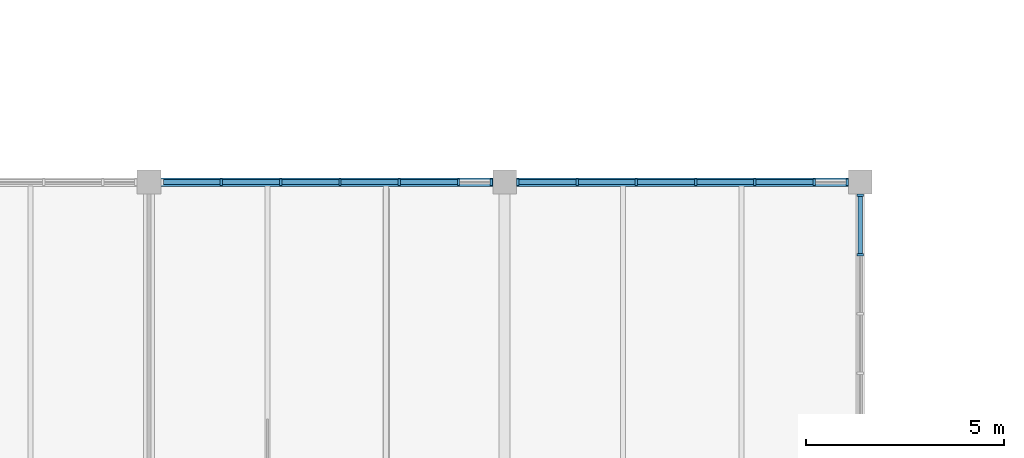
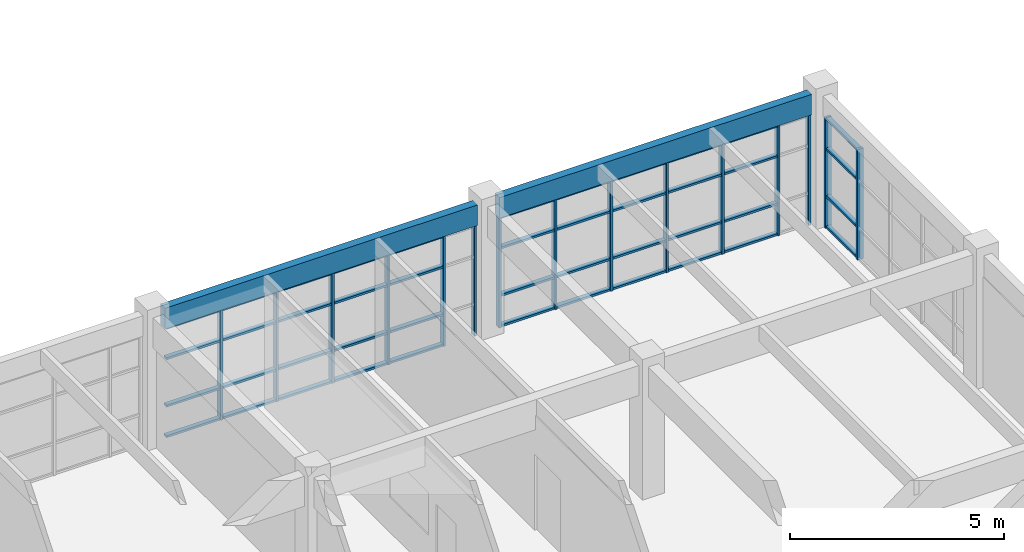
# One storey, part 38 of 76: 59 members, 2 beams, 3 elements without a shape of their own.
"""IFC4 building model written with IfcOpenShell, lengths in metres."""

from ifc_helpers import new_model, si_unit, direction, frame, origin, origin_2d, place, context, subcontext, project, spatial, rectangle, extrude, material, layer, layer_set, material_profile, profile_set, type_object, element, aggregate, save


model = new_model("IFC4")

# Units and contexts
model_context = context("Model", 3, precision=1e-05, world=origin(), true_north=direction((0.0, 1.0)))
body_context = subcontext(model_context, "Body", "Model", "MODEL_VIEW")
ifc_project = project(units=[si_unit("LENGTHUNIT", "METRE"), si_unit("AREAUNIT", "SQUARE_METRE"), si_unit("VOLUMEUNIT", "CUBIC_METRE"), si_unit("PLANEANGLEUNIT", "RADIAN"), si_unit("MASSUNIT", "GRAM", prefix="KILO")], contexts=[model_context])

# Site, building, storey
site_placement = place(None, origin())
site = spatial("IfcSite", under=ifc_project, at=site_placement, CompositionType="ELEMENT")
building_placement = place(site_placement, origin())
building = spatial("IfcBuilding", under=site, at=building_placement, Name="Marnridge Secondary College", CompositionType="ELEMENT")
storey_placement = place(building_placement, frame((0.0, 0.0, 4.5)))
storey = spatial("IfcBuildingStorey", under=building, at=storey_placement, Name="L01", CompositionType="ELEMENT", Elevation=4.5)

# Beams
ifc_material_1 = material(Name="Glulam timber GL18", Category="wood")
ifc_material_profile_1 = material_profile(ifc_material_1, rectangle(XDim=0.215087890625, YDim=0.5849609375, at=origin_2d()), Name="GL18 215x585")
ifc_profile_set_1 = profile_set([ifc_material_profile_1], Name="Glulam timber GL18")
beam_type = type_object("IfcBeamType", Name="BM-GL585-EXT", PredefinedType="SPANDREL", material=ifc_profile_set_1)
for number, where, z_axis, x_axis, name in (
    (1, (72.2939453125, 82.5, 3.447509765625), (1.0, 0.0, 0.0), (0.0, 1.0, 0.0), "Beam BS-L01-0451"),
    (2, (81.2939453125, 82.5, 3.447509765625), (1.0, 0.0, 0.0), (0.0, 1.0, 0.0), "Beam BS-L01-0466"),
):
    element("IfcBeam", number, at=place(storey_placement, frame(where, z_axis=z_axis, x_axis=x_axis)), inside=storey, type_object=beam_type, Name=name, PredefinedType="SPANDREL", context=body_context, shape_type="SweptSolid", body=[
        extrude(rectangle(XDim=0.215087890625, YDim=0.5849609375, at=origin_2d()), origin(), (0.0, 0.0, 1.0), 8.412109375),
    ])

# Curtain wall, members
ifc_material_2 = material(Name="Thermally broken aluminium and low-E glazing", Category="aluminium")
ifc_layer = layer(ifc_material_2, 0.159912109375)
ifc_layer_set = layer_set([ifc_layer], Name="CW-MOD-1500")
curtain_wall_type = type_object("IfcCurtainWallType", Name="CW-MOD-1500", PredefinedType="NOTDEFINED", material=ifc_layer_set)
curtain_wall_1_placement = place(storey_placement, origin())
curtain_wall_1 = element("IfcCurtainWall", 3, at=curtain_wall_1_placement, inside=storey, type_object=curtain_wall_type, Name="Unitised curtain wall CW-L01-030", PredefinedType="NOTDEFINED")
ifc_material_3 = material(Name="Anodised aluminium 6063-T6", Category="aluminium")
ifc_material_profile_2 = material_profile(ifc_material_3, rectangle(XDim=0.06005859375, YDim=0.159912109375, at=origin_2d()), Name="ALU 60x160")
ifc_profile_set_2 = profile_set([ifc_material_profile_2], Name="Anodised aluminium 6063-T6")
member_type_1 = type_object("IfcMemberType", Name="CWM-ALU160", PredefinedType="MULLION", material=ifc_profile_set_2)
member_1_placement = place(storey_placement, frame((73.833984375, 82.5, 0.0), z_axis=(0.0, 0.0, 1.0), x_axis=(1.0, 0.0, 0.0)))
member_1 = element("IfcMember", 4, at=member_1_placement, type_object=member_type_1, Name="CW-L01-030 mullion 2", PredefinedType="MULLION", context=body_context, shape_type="SweptSolid", body=[
    extrude(rectangle(XDim=0.06005859375, YDim=0.159912109375, at=origin_2d()), origin(), (0.0, 0.0, 1.0), 3.14697265625),
])
member_2_placement = place(storey_placement, frame((75.333984375, 82.5, 0.0), z_axis=(0.0, 0.0, 1.0), x_axis=(1.0, 0.0, 0.0)))
member_2 = element("IfcMember", 5, at=member_2_placement, type_object=member_type_1, Name="CW-L01-030 mullion 3", PredefinedType="MULLION", context=body_context, shape_type="SweptSolid", body=[
    extrude(rectangle(XDim=0.06005859375, YDim=0.159912109375, at=origin_2d()), origin(), (0.0, 0.0, 1.0), 3.14697265625),
])
member_3_placement = place(storey_placement, frame((76.833984375, 82.5, 0.0), z_axis=(0.0, 0.0, 1.0), x_axis=(1.0, 0.0, 0.0)))
member_3 = element("IfcMember", 6, at=member_3_placement, type_object=member_type_1, Name="CW-L01-030 mullion 4", PredefinedType="MULLION", context=body_context, shape_type="SweptSolid", body=[
    extrude(rectangle(XDim=0.06005859375, YDim=0.159912109375, at=origin_2d()), origin(), (0.0, 0.0, 1.0), 3.14697265625),
])
member_4_placement = place(storey_placement, frame((78.333984375, 82.5, 0.0), z_axis=(0.0, 0.0, 1.0), x_axis=(1.0, 0.0, 0.0)))
member_4 = element("IfcMember", 7, at=member_4_placement, type_object=member_type_1, Name="CW-L01-030 mullion 5", PredefinedType="MULLION", context=body_context, shape_type="SweptSolid", body=[
    extrude(rectangle(XDim=0.06005859375, YDim=0.159912109375, at=origin_2d()), origin(), (0.0, 0.0, 1.0), 3.14697265625),
])
member_5_placement = place(storey_placement, frame((79.833984375, 82.5, 0.0), z_axis=(0.0, 0.0, 1.0), x_axis=(1.0, 0.0, 0.0)))
member_5 = element("IfcMember", 8, at=member_5_placement, type_object=member_type_1, Name="CW-L01-030 mullion 6", PredefinedType="MULLION", context=body_context, shape_type="SweptSolid", body=[
    extrude(rectangle(XDim=0.06005859375, YDim=0.159912109375, at=origin_2d()), origin(), (0.0, 0.0, 1.0), 3.14697265625),
])
member_6_placement = place(storey_placement, frame((80.666015625, 82.5, 0.0), z_axis=(0.0, 0.0, 1.0), x_axis=(1.0, 0.0, 0.0)))
member_6 = element("IfcMember", 9, at=member_6_placement, type_object=member_type_1, Name="CW-L01-030 mullion 7", PredefinedType="MULLION", context=body_context, shape_type="SweptSolid", body=[
    extrude(rectangle(XDim=0.06005859375, YDim=0.159912109375, at=origin_2d()), origin(), (0.0, 0.0, 1.0), 3.14697265625),
])

curtain_wall_2_placement = place(storey_placement, origin())
curtain_wall_2 = element("IfcCurtainWall", 10, at=curtain_wall_2_placement, inside=storey, type_object=curtain_wall_type, Name="Unitised curtain wall CW-L01-031", PredefinedType="NOTDEFINED")
member_7_placement = place(storey_placement, frame((81.333984375, 82.5, 0.0), z_axis=(0.0, 0.0, 1.0), x_axis=(1.0, 0.0, 0.0)))
member_7 = element("IfcMember", 11, at=member_7_placement, type_object=member_type_1, Name="CW-L01-031 mullion 1", PredefinedType="MULLION", context=body_context, shape_type="SweptSolid", body=[
    extrude(rectangle(XDim=0.06005859375, YDim=0.159912109375, at=origin_2d()), origin(), (0.0, 0.0, 1.0), 3.14697265625),
])
member_8_placement = place(storey_placement, frame((82.833984375, 82.5, 0.0), z_axis=(0.0, 0.0, 1.0), x_axis=(1.0, 0.0, 0.0)))
member_8 = element("IfcMember", 12, at=member_8_placement, type_object=member_type_1, Name="CW-L01-031 mullion 2", PredefinedType="MULLION", context=body_context, shape_type="SweptSolid", body=[
    extrude(rectangle(XDim=0.06005859375, YDim=0.159912109375, at=origin_2d()), origin(), (0.0, 0.0, 1.0), 3.14697265625),
])
member_9_placement = place(storey_placement, frame((84.333984375, 82.5, 0.0), z_axis=(0.0, 0.0, 1.0), x_axis=(1.0, 0.0, 0.0)))
member_9 = element("IfcMember", 13, at=member_9_placement, type_object=member_type_1, Name="CW-L01-031 mullion 3", PredefinedType="MULLION", context=body_context, shape_type="SweptSolid", body=[
    extrude(rectangle(XDim=0.06005859375, YDim=0.159912109375, at=origin_2d()), origin(), (0.0, 0.0, 1.0), 3.14697265625),
])
member_10_placement = place(storey_placement, frame((85.833984375, 82.5, 0.0), z_axis=(0.0, 0.0, 1.0), x_axis=(1.0, 0.0, 0.0)))
member_10 = element("IfcMember", 14, at=member_10_placement, type_object=member_type_1, Name="CW-L01-031 mullion 4", PredefinedType="MULLION", context=body_context, shape_type="SweptSolid", body=[
    extrude(rectangle(XDim=0.06005859375, YDim=0.159912109375, at=origin_2d()), origin(), (0.0, 0.0, 1.0), 3.14697265625),
])
member_11_placement = place(storey_placement, frame((87.333984375, 82.5, 0.0), z_axis=(0.0, 0.0, 1.0), x_axis=(1.0, 0.0, 0.0)))
member_11 = element("IfcMember", 15, at=member_11_placement, type_object=member_type_1, Name="CW-L01-031 mullion 5", PredefinedType="MULLION", context=body_context, shape_type="SweptSolid", body=[
    extrude(rectangle(XDim=0.06005859375, YDim=0.159912109375, at=origin_2d()), origin(), (0.0, 0.0, 1.0), 3.14697265625),
])
member_12_placement = place(storey_placement, frame((88.833984375, 82.5, 0.0), z_axis=(0.0, 0.0, 1.0), x_axis=(1.0, 0.0, 0.0)))
member_12 = element("IfcMember", 16, at=member_12_placement, type_object=member_type_1, Name="CW-L01-031 mullion 6", PredefinedType="MULLION", context=body_context, shape_type="SweptSolid", body=[
    extrude(rectangle(XDim=0.06005859375, YDim=0.159912109375, at=origin_2d()), origin(), (0.0, 0.0, 1.0), 3.14697265625),
])
member_13_placement = place(storey_placement, frame((89.666015625, 82.5, 0.0), z_axis=(0.0, 0.0, 1.0), x_axis=(1.0, 0.0, 0.0)))
member_13 = element("IfcMember", 17, at=member_13_placement, type_object=member_type_1, Name="CW-L01-031 mullion 7", PredefinedType="MULLION", context=body_context, shape_type="SweptSolid", body=[
    extrude(rectangle(XDim=0.06005859375, YDim=0.159912109375, at=origin_2d()), origin(), (0.0, 0.0, 1.0), 3.14697265625),
])

curtain_wall_3_placement = place(storey_placement, origin())
curtain_wall_3 = element("IfcCurtainWall", 18, at=curtain_wall_3_placement, inside=storey, type_object=curtain_wall_type, Name="Unitised curtain wall CW-L01-032", PredefinedType="NOTDEFINED")
member_14_placement = place(storey_placement, frame((90.0, 82.166015625, 0.0), z_axis=(0.0, 0.0, 1.0), x_axis=(0.0, -1.0, 0.0)))
member_14 = element("IfcMember", 19, at=member_14_placement, type_object=member_type_1, Name="CW-L01-032 mullion 1", PredefinedType="MULLION", context=body_context, shape_type="SweptSolid", body=[
    extrude(rectangle(XDim=0.06005859375, YDim=0.159912109375, at=origin_2d()), origin(), (0.0, 0.0, 1.0), 3.14697265625),
])
member_15_placement = place(storey_placement, frame((90.0, 80.666015625, 0.0), z_axis=(0.0, 0.0, 1.0), x_axis=(0.0, -1.0, 0.0)))
member_15 = element("IfcMember", 20, at=member_15_placement, type_object=member_type_1, Name="CW-L01-032 mullion 2", PredefinedType="MULLION", context=body_context, shape_type="SweptSolid", body=[
    extrude(rectangle(XDim=0.06005859375, YDim=0.159912109375, at=origin_2d()), origin(), (0.0, 0.0, 1.0), 3.14697265625),
])

# Member
ifc_material_4 = material(Name="Anodised aluminium 6063-T6", Category="aluminium")
ifc_material_profile_3 = material_profile(ifc_material_4, rectangle(XDim=0.06005859375, YDim=0.1201171875, at=origin_2d()), Name="ALU 60x120")
ifc_profile_set_3 = profile_set([ifc_material_profile_3], Name="Anodised aluminium 6063-T6")
member_type_2 = type_object("IfcMemberType", Name="CWT-ALU120", PredefinedType="USERDEFINED", material=ifc_profile_set_3)
member_16_placement = place(storey_placement, frame((72.364013671875, 82.5, 0.030029296875), z_axis=(1.0, 0.0, 0.0), x_axis=(0.0, 0.0, 1.0)))
member_16 = element("IfcMember", 21, at=member_16_placement, type_object=member_type_2, Name="CW-L01-030 transom 1.1", ObjectType="TRANSOM", PredefinedType="USERDEFINED", context=body_context, shape_type="SweptSolid", body=[
    extrude(rectangle(XDim=0.06005859375, YDim=0.1201171875, at=origin_2d()), origin(), (0.0, 0.0, 1.0), 1.43994140625),
])

member_17_placement = place(storey_placement, frame((72.364013671875, 82.5, 0.89990234375), z_axis=(1.0, 0.0, 0.0), x_axis=(0.0, 0.0, 1.0)))
member_17 = element("IfcMember", 22, at=member_17_placement, type_object=member_type_2, Name="CW-L01-030 transom 1.2", ObjectType="TRANSOM", PredefinedType="USERDEFINED", context=body_context, shape_type="SweptSolid", body=[
    extrude(rectangle(XDim=0.06005859375, YDim=0.1201171875, at=origin_2d()), origin(), (0.0, 0.0, 1.0), 1.43994140625),
])

member_18_placement = place(storey_placement, frame((72.364013671875, 82.5, 2.25), z_axis=(1.0, 0.0, 0.0), x_axis=(0.0, 0.0, 1.0)))
member_18 = element("IfcMember", 23, at=member_18_placement, type_object=member_type_2, Name="CW-L01-030 transom 1.3", ObjectType="TRANSOM", PredefinedType="USERDEFINED", context=body_context, shape_type="SweptSolid", body=[
    extrude(rectangle(XDim=0.06005859375, YDim=0.1201171875, at=origin_2d()), origin(), (0.0, 0.0, 1.0), 1.43994140625),
])

member_19_placement = place(storey_placement, frame((72.364013671875, 82.5, 3.116943359375), z_axis=(1.0, 0.0, 0.0), x_axis=(0.0, 0.0, 1.0)))
member_19 = element("IfcMember", 24, at=member_19_placement, type_object=member_type_2, Name="CW-L01-030 transom 1.4", ObjectType="TRANSOM", PredefinedType="USERDEFINED", context=body_context, shape_type="SweptSolid", body=[
    extrude(rectangle(XDim=0.06005859375, YDim=0.1201171875, at=origin_2d()), origin(), (0.0, 0.0, 1.0), 1.43994140625),
])

member_20_placement = place(storey_placement, frame((73.864013671875, 82.5, 0.030029296875), z_axis=(1.0, 0.0, 0.0), x_axis=(0.0, 0.0, 1.0)))
member_20 = element("IfcMember", 25, at=member_20_placement, type_object=member_type_2, Name="CW-L01-030 transom 2.1", ObjectType="TRANSOM", PredefinedType="USERDEFINED", context=body_context, shape_type="SweptSolid", body=[
    extrude(rectangle(XDim=0.06005859375, YDim=0.1201171875, at=origin_2d()), origin(), (0.0, 0.0, 1.0), 1.43994140625),
])

member_21_placement = place(storey_placement, frame((73.864013671875, 82.5, 0.89990234375), z_axis=(1.0, 0.0, 0.0), x_axis=(0.0, 0.0, 1.0)))
member_21 = element("IfcMember", 26, at=member_21_placement, type_object=member_type_2, Name="CW-L01-030 transom 2.2", ObjectType="TRANSOM", PredefinedType="USERDEFINED", context=body_context, shape_type="SweptSolid", body=[
    extrude(rectangle(XDim=0.06005859375, YDim=0.1201171875, at=origin_2d()), origin(), (0.0, 0.0, 1.0), 1.43994140625),
])

member_22_placement = place(storey_placement, frame((73.864013671875, 82.5, 2.25), z_axis=(1.0, 0.0, 0.0), x_axis=(0.0, 0.0, 1.0)))
member_22 = element("IfcMember", 27, at=member_22_placement, type_object=member_type_2, Name="CW-L01-030 transom 2.3", ObjectType="TRANSOM", PredefinedType="USERDEFINED", context=body_context, shape_type="SweptSolid", body=[
    extrude(rectangle(XDim=0.06005859375, YDim=0.1201171875, at=origin_2d()), origin(), (0.0, 0.0, 1.0), 1.43994140625),
])

member_23_placement = place(storey_placement, frame((73.864013671875, 82.5, 3.116943359375), z_axis=(1.0, 0.0, 0.0), x_axis=(0.0, 0.0, 1.0)))
member_23 = element("IfcMember", 28, at=member_23_placement, type_object=member_type_2, Name="CW-L01-030 transom 2.4", ObjectType="TRANSOM", PredefinedType="USERDEFINED", context=body_context, shape_type="SweptSolid", body=[
    extrude(rectangle(XDim=0.06005859375, YDim=0.1201171875, at=origin_2d()), origin(), (0.0, 0.0, 1.0), 1.43994140625),
])

member_24_placement = place(storey_placement, frame((75.364013671875, 82.5, 0.030029296875), z_axis=(1.0, 0.0, 0.0), x_axis=(0.0, 0.0, 1.0)))
member_24 = element("IfcMember", 29, at=member_24_placement, type_object=member_type_2, Name="CW-L01-030 transom 3.1", ObjectType="TRANSOM", PredefinedType="USERDEFINED", context=body_context, shape_type="SweptSolid", body=[
    extrude(rectangle(XDim=0.06005859375, YDim=0.1201171875, at=origin_2d()), origin(), (0.0, 0.0, 1.0), 1.43994140625),
])

member_25_placement = place(storey_placement, frame((75.364013671875, 82.5, 0.89990234375), z_axis=(1.0, 0.0, 0.0), x_axis=(0.0, 0.0, 1.0)))
member_25 = element("IfcMember", 30, at=member_25_placement, type_object=member_type_2, Name="CW-L01-030 transom 3.2", ObjectType="TRANSOM", PredefinedType="USERDEFINED", context=body_context, shape_type="SweptSolid", body=[
    extrude(rectangle(XDim=0.06005859375, YDim=0.1201171875, at=origin_2d()), origin(), (0.0, 0.0, 1.0), 1.43994140625),
])

member_26_placement = place(storey_placement, frame((75.364013671875, 82.5, 2.25), z_axis=(1.0, 0.0, 0.0), x_axis=(0.0, 0.0, 1.0)))
member_26 = element("IfcMember", 31, at=member_26_placement, type_object=member_type_2, Name="CW-L01-030 transom 3.3", ObjectType="TRANSOM", PredefinedType="USERDEFINED", context=body_context, shape_type="SweptSolid", body=[
    extrude(rectangle(XDim=0.06005859375, YDim=0.1201171875, at=origin_2d()), origin(), (0.0, 0.0, 1.0), 1.43994140625),
])

member_27_placement = place(storey_placement, frame((75.364013671875, 82.5, 3.116943359375), z_axis=(1.0, 0.0, 0.0), x_axis=(0.0, 0.0, 1.0)))
member_27 = element("IfcMember", 32, at=member_27_placement, type_object=member_type_2, Name="CW-L01-030 transom 3.4", ObjectType="TRANSOM", PredefinedType="USERDEFINED", context=body_context, shape_type="SweptSolid", body=[
    extrude(rectangle(XDim=0.06005859375, YDim=0.1201171875, at=origin_2d()), origin(), (0.0, 0.0, 1.0), 1.43994140625),
])

member_28_placement = place(storey_placement, frame((76.864013671875, 82.5, 0.030029296875), z_axis=(1.0, 0.0, 0.0), x_axis=(0.0, 0.0, 1.0)))
member_28 = element("IfcMember", 33, at=member_28_placement, type_object=member_type_2, Name="CW-L01-030 transom 4.1", ObjectType="TRANSOM", PredefinedType="USERDEFINED", context=body_context, shape_type="SweptSolid", body=[
    extrude(rectangle(XDim=0.06005859375, YDim=0.1201171875, at=origin_2d()), origin(), (0.0, 0.0, 1.0), 1.43994140625),
])

member_29_placement = place(storey_placement, frame((76.864013671875, 82.5, 0.89990234375), z_axis=(1.0, 0.0, 0.0), x_axis=(0.0, 0.0, 1.0)))
member_29 = element("IfcMember", 34, at=member_29_placement, type_object=member_type_2, Name="CW-L01-030 transom 4.2", ObjectType="TRANSOM", PredefinedType="USERDEFINED", context=body_context, shape_type="SweptSolid", body=[
    extrude(rectangle(XDim=0.06005859375, YDim=0.1201171875, at=origin_2d()), origin(), (0.0, 0.0, 1.0), 1.43994140625),
])

member_30_placement = place(storey_placement, frame((76.864013671875, 82.5, 2.25), z_axis=(1.0, 0.0, 0.0), x_axis=(0.0, 0.0, 1.0)))
member_30 = element("IfcMember", 35, at=member_30_placement, type_object=member_type_2, Name="CW-L01-030 transom 4.3", ObjectType="TRANSOM", PredefinedType="USERDEFINED", context=body_context, shape_type="SweptSolid", body=[
    extrude(rectangle(XDim=0.06005859375, YDim=0.1201171875, at=origin_2d()), origin(), (0.0, 0.0, 1.0), 1.43994140625),
])

member_31_placement = place(storey_placement, frame((76.864013671875, 82.5, 3.116943359375), z_axis=(1.0, 0.0, 0.0), x_axis=(0.0, 0.0, 1.0)))
member_31 = element("IfcMember", 36, at=member_31_placement, type_object=member_type_2, Name="CW-L01-030 transom 4.4", ObjectType="TRANSOM", PredefinedType="USERDEFINED", context=body_context, shape_type="SweptSolid", body=[
    extrude(rectangle(XDim=0.06005859375, YDim=0.1201171875, at=origin_2d()), origin(), (0.0, 0.0, 1.0), 1.43994140625),
])

member_32_placement = place(storey_placement, frame((78.364013671875, 82.5, 0.030029296875), z_axis=(1.0, 0.0, 0.0), x_axis=(0.0, 0.0, 1.0)))
member_32 = element("IfcMember", 37, at=member_32_placement, type_object=member_type_2, Name="CW-L01-030 transom 5.1", ObjectType="TRANSOM", PredefinedType="USERDEFINED", context=body_context, shape_type="SweptSolid", body=[
    extrude(rectangle(XDim=0.06005859375, YDim=0.1201171875, at=origin_2d()), origin(), (0.0, 0.0, 1.0), 1.43994140625),
])

member_33_placement = place(storey_placement, frame((78.364013671875, 82.5, 0.89990234375), z_axis=(1.0, 0.0, 0.0), x_axis=(0.0, 0.0, 1.0)))
member_33 = element("IfcMember", 38, at=member_33_placement, type_object=member_type_2, Name="CW-L01-030 transom 5.2", ObjectType="TRANSOM", PredefinedType="USERDEFINED", context=body_context, shape_type="SweptSolid", body=[
    extrude(rectangle(XDim=0.06005859375, YDim=0.1201171875, at=origin_2d()), origin(), (0.0, 0.0, 1.0), 1.43994140625),
])

member_34_placement = place(storey_placement, frame((78.364013671875, 82.5, 2.25), z_axis=(1.0, 0.0, 0.0), x_axis=(0.0, 0.0, 1.0)))
member_34 = element("IfcMember", 39, at=member_34_placement, type_object=member_type_2, Name="CW-L01-030 transom 5.3", ObjectType="TRANSOM", PredefinedType="USERDEFINED", context=body_context, shape_type="SweptSolid", body=[
    extrude(rectangle(XDim=0.06005859375, YDim=0.1201171875, at=origin_2d()), origin(), (0.0, 0.0, 1.0), 1.43994140625),
])

member_35_placement = place(storey_placement, frame((78.364013671875, 82.5, 3.116943359375), z_axis=(1.0, 0.0, 0.0), x_axis=(0.0, 0.0, 1.0)))
member_35 = element("IfcMember", 40, at=member_35_placement, type_object=member_type_2, Name="CW-L01-030 transom 5.4", ObjectType="TRANSOM", PredefinedType="USERDEFINED", context=body_context, shape_type="SweptSolid", body=[
    extrude(rectangle(XDim=0.06005859375, YDim=0.1201171875, at=origin_2d()), origin(), (0.0, 0.0, 1.0), 1.43994140625),
])

aggregate(curtain_wall_1, [member_1, member_2, member_3, member_4, member_5, member_6, member_16, member_17, member_18, member_19, member_20, member_21, member_22, member_23, member_24, member_25, member_26, member_27, member_28, member_29, member_30, member_31, member_32, member_33, member_34, member_35])

member_36_placement = place(storey_placement, frame((81.364013671875, 82.5, 0.030029296875), z_axis=(1.0, 0.0, 0.0), x_axis=(0.0, 0.0, 1.0)))
member_36 = element("IfcMember", 41, at=member_36_placement, type_object=member_type_2, Name="CW-L01-031 transom 1.1", ObjectType="TRANSOM", PredefinedType="USERDEFINED", context=body_context, shape_type="SweptSolid", body=[
    extrude(rectangle(XDim=0.06005859375, YDim=0.1201171875, at=origin_2d()), origin(), (0.0, 0.0, 1.0), 1.43994140625),
])

member_37_placement = place(storey_placement, frame((81.364013671875, 82.5, 0.89990234375), z_axis=(1.0, 0.0, 0.0), x_axis=(0.0, 0.0, 1.0)))
member_37 = element("IfcMember", 42, at=member_37_placement, type_object=member_type_2, Name="CW-L01-031 transom 1.2", ObjectType="TRANSOM", PredefinedType="USERDEFINED", context=body_context, shape_type="SweptSolid", body=[
    extrude(rectangle(XDim=0.06005859375, YDim=0.1201171875, at=origin_2d()), origin(), (0.0, 0.0, 1.0), 1.43994140625),
])

member_38_placement = place(storey_placement, frame((81.364013671875, 82.5, 2.25), z_axis=(1.0, 0.0, 0.0), x_axis=(0.0, 0.0, 1.0)))
member_38 = element("IfcMember", 43, at=member_38_placement, type_object=member_type_2, Name="CW-L01-031 transom 1.3", ObjectType="TRANSOM", PredefinedType="USERDEFINED", context=body_context, shape_type="SweptSolid", body=[
    extrude(rectangle(XDim=0.06005859375, YDim=0.1201171875, at=origin_2d()), origin(), (0.0, 0.0, 1.0), 1.43994140625),
])

member_39_placement = place(storey_placement, frame((81.364013671875, 82.5, 3.116943359375), z_axis=(1.0, 0.0, 0.0), x_axis=(0.0, 0.0, 1.0)))
member_39 = element("IfcMember", 44, at=member_39_placement, type_object=member_type_2, Name="CW-L01-031 transom 1.4", ObjectType="TRANSOM", PredefinedType="USERDEFINED", context=body_context, shape_type="SweptSolid", body=[
    extrude(rectangle(XDim=0.06005859375, YDim=0.1201171875, at=origin_2d()), origin(), (0.0, 0.0, 1.0), 1.43994140625),
])

member_40_placement = place(storey_placement, frame((82.864013671875, 82.5, 0.030029296875), z_axis=(1.0, 0.0, 0.0), x_axis=(0.0, 0.0, 1.0)))
member_40 = element("IfcMember", 45, at=member_40_placement, type_object=member_type_2, Name="CW-L01-031 transom 2.1", ObjectType="TRANSOM", PredefinedType="USERDEFINED", context=body_context, shape_type="SweptSolid", body=[
    extrude(rectangle(XDim=0.06005859375, YDim=0.1201171875, at=origin_2d()), origin(), (0.0, 0.0, 1.0), 1.43994140625),
])

member_41_placement = place(storey_placement, frame((82.864013671875, 82.5, 0.89990234375), z_axis=(1.0, 0.0, 0.0), x_axis=(0.0, 0.0, 1.0)))
member_41 = element("IfcMember", 46, at=member_41_placement, type_object=member_type_2, Name="CW-L01-031 transom 2.2", ObjectType="TRANSOM", PredefinedType="USERDEFINED", context=body_context, shape_type="SweptSolid", body=[
    extrude(rectangle(XDim=0.06005859375, YDim=0.1201171875, at=origin_2d()), origin(), (0.0, 0.0, 1.0), 1.43994140625),
])

member_42_placement = place(storey_placement, frame((82.864013671875, 82.5, 2.25), z_axis=(1.0, 0.0, 0.0), x_axis=(0.0, 0.0, 1.0)))
member_42 = element("IfcMember", 47, at=member_42_placement, type_object=member_type_2, Name="CW-L01-031 transom 2.3", ObjectType="TRANSOM", PredefinedType="USERDEFINED", context=body_context, shape_type="SweptSolid", body=[
    extrude(rectangle(XDim=0.06005859375, YDim=0.1201171875, at=origin_2d()), origin(), (0.0, 0.0, 1.0), 1.43994140625),
])

member_43_placement = place(storey_placement, frame((82.864013671875, 82.5, 3.116943359375), z_axis=(1.0, 0.0, 0.0), x_axis=(0.0, 0.0, 1.0)))
member_43 = element("IfcMember", 48, at=member_43_placement, type_object=member_type_2, Name="CW-L01-031 transom 2.4", ObjectType="TRANSOM", PredefinedType="USERDEFINED", context=body_context, shape_type="SweptSolid", body=[
    extrude(rectangle(XDim=0.06005859375, YDim=0.1201171875, at=origin_2d()), origin(), (0.0, 0.0, 1.0), 1.43994140625),
])

member_44_placement = place(storey_placement, frame((84.364013671875, 82.5, 0.030029296875), z_axis=(1.0, 0.0, 0.0), x_axis=(0.0, 0.0, 1.0)))
member_44 = element("IfcMember", 49, at=member_44_placement, type_object=member_type_2, Name="CW-L01-031 transom 3.1", ObjectType="TRANSOM", PredefinedType="USERDEFINED", context=body_context, shape_type="SweptSolid", body=[
    extrude(rectangle(XDim=0.06005859375, YDim=0.1201171875, at=origin_2d()), origin(), (0.0, 0.0, 1.0), 1.43994140625),
])

member_45_placement = place(storey_placement, frame((84.364013671875, 82.5, 0.89990234375), z_axis=(1.0, 0.0, 0.0), x_axis=(0.0, 0.0, 1.0)))
member_45 = element("IfcMember", 50, at=member_45_placement, type_object=member_type_2, Name="CW-L01-031 transom 3.2", ObjectType="TRANSOM", PredefinedType="USERDEFINED", context=body_context, shape_type="SweptSolid", body=[
    extrude(rectangle(XDim=0.06005859375, YDim=0.1201171875, at=origin_2d()), origin(), (0.0, 0.0, 1.0), 1.43994140625),
])

member_46_placement = place(storey_placement, frame((84.364013671875, 82.5, 2.25), z_axis=(1.0, 0.0, 0.0), x_axis=(0.0, 0.0, 1.0)))
member_46 = element("IfcMember", 51, at=member_46_placement, type_object=member_type_2, Name="CW-L01-031 transom 3.3", ObjectType="TRANSOM", PredefinedType="USERDEFINED", context=body_context, shape_type="SweptSolid", body=[
    extrude(rectangle(XDim=0.06005859375, YDim=0.1201171875, at=origin_2d()), origin(), (0.0, 0.0, 1.0), 1.43994140625),
])

member_47_placement = place(storey_placement, frame((84.364013671875, 82.5, 3.116943359375), z_axis=(1.0, 0.0, 0.0), x_axis=(0.0, 0.0, 1.0)))
member_47 = element("IfcMember", 52, at=member_47_placement, type_object=member_type_2, Name="CW-L01-031 transom 3.4", ObjectType="TRANSOM", PredefinedType="USERDEFINED", context=body_context, shape_type="SweptSolid", body=[
    extrude(rectangle(XDim=0.06005859375, YDim=0.1201171875, at=origin_2d()), origin(), (0.0, 0.0, 1.0), 1.43994140625),
])

member_48_placement = place(storey_placement, frame((85.864013671875, 82.5, 0.030029296875), z_axis=(1.0, 0.0, 0.0), x_axis=(0.0, 0.0, 1.0)))
member_48 = element("IfcMember", 53, at=member_48_placement, type_object=member_type_2, Name="CW-L01-031 transom 4.1", ObjectType="TRANSOM", PredefinedType="USERDEFINED", context=body_context, shape_type="SweptSolid", body=[
    extrude(rectangle(XDim=0.06005859375, YDim=0.1201171875, at=origin_2d()), origin(), (0.0, 0.0, 1.0), 1.43994140625),
])

member_49_placement = place(storey_placement, frame((85.864013671875, 82.5, 0.89990234375), z_axis=(1.0, 0.0, 0.0), x_axis=(0.0, 0.0, 1.0)))
member_49 = element("IfcMember", 54, at=member_49_placement, type_object=member_type_2, Name="CW-L01-031 transom 4.2", ObjectType="TRANSOM", PredefinedType="USERDEFINED", context=body_context, shape_type="SweptSolid", body=[
    extrude(rectangle(XDim=0.06005859375, YDim=0.1201171875, at=origin_2d()), origin(), (0.0, 0.0, 1.0), 1.43994140625),
])

member_50_placement = place(storey_placement, frame((85.864013671875, 82.5, 2.25), z_axis=(1.0, 0.0, 0.0), x_axis=(0.0, 0.0, 1.0)))
member_50 = element("IfcMember", 55, at=member_50_placement, type_object=member_type_2, Name="CW-L01-031 transom 4.3", ObjectType="TRANSOM", PredefinedType="USERDEFINED", context=body_context, shape_type="SweptSolid", body=[
    extrude(rectangle(XDim=0.06005859375, YDim=0.1201171875, at=origin_2d()), origin(), (0.0, 0.0, 1.0), 1.43994140625),
])

member_51_placement = place(storey_placement, frame((85.864013671875, 82.5, 3.116943359375), z_axis=(1.0, 0.0, 0.0), x_axis=(0.0, 0.0, 1.0)))
member_51 = element("IfcMember", 56, at=member_51_placement, type_object=member_type_2, Name="CW-L01-031 transom 4.4", ObjectType="TRANSOM", PredefinedType="USERDEFINED", context=body_context, shape_type="SweptSolid", body=[
    extrude(rectangle(XDim=0.06005859375, YDim=0.1201171875, at=origin_2d()), origin(), (0.0, 0.0, 1.0), 1.43994140625),
])

member_52_placement = place(storey_placement, frame((87.364013671875, 82.5, 0.030029296875), z_axis=(1.0, 0.0, 0.0), x_axis=(0.0, 0.0, 1.0)))
member_52 = element("IfcMember", 57, at=member_52_placement, type_object=member_type_2, Name="CW-L01-031 transom 5.1", ObjectType="TRANSOM", PredefinedType="USERDEFINED", context=body_context, shape_type="SweptSolid", body=[
    extrude(rectangle(XDim=0.06005859375, YDim=0.1201171875, at=origin_2d()), origin(), (0.0, 0.0, 1.0), 1.43994140625),
])

member_53_placement = place(storey_placement, frame((87.364013671875, 82.5, 0.89990234375), z_axis=(1.0, 0.0, 0.0), x_axis=(0.0, 0.0, 1.0)))
member_53 = element("IfcMember", 58, at=member_53_placement, type_object=member_type_2, Name="CW-L01-031 transom 5.2", ObjectType="TRANSOM", PredefinedType="USERDEFINED", context=body_context, shape_type="SweptSolid", body=[
    extrude(rectangle(XDim=0.06005859375, YDim=0.1201171875, at=origin_2d()), origin(), (0.0, 0.0, 1.0), 1.43994140625),
])

member_54_placement = place(storey_placement, frame((87.364013671875, 82.5, 2.25), z_axis=(1.0, 0.0, 0.0), x_axis=(0.0, 0.0, 1.0)))
member_54 = element("IfcMember", 59, at=member_54_placement, type_object=member_type_2, Name="CW-L01-031 transom 5.3", ObjectType="TRANSOM", PredefinedType="USERDEFINED", context=body_context, shape_type="SweptSolid", body=[
    extrude(rectangle(XDim=0.06005859375, YDim=0.1201171875, at=origin_2d()), origin(), (0.0, 0.0, 1.0), 1.43994140625),
])

member_55_placement = place(storey_placement, frame((87.364013671875, 82.5, 3.116943359375), z_axis=(1.0, 0.0, 0.0), x_axis=(0.0, 0.0, 1.0)))
member_55 = element("IfcMember", 60, at=member_55_placement, type_object=member_type_2, Name="CW-L01-031 transom 5.4", ObjectType="TRANSOM", PredefinedType="USERDEFINED", context=body_context, shape_type="SweptSolid", body=[
    extrude(rectangle(XDim=0.06005859375, YDim=0.1201171875, at=origin_2d()), origin(), (0.0, 0.0, 1.0), 1.43994140625),
])

aggregate(curtain_wall_2, [member_7, member_8, member_9, member_10, member_11, member_12, member_13, member_36, member_37, member_38, member_39, member_40, member_41, member_42, member_43, member_44, member_45, member_46, member_47, member_48, member_49, member_50, member_51, member_52, member_53, member_54, member_55])

member_56_placement = place(storey_placement, frame((90.0, 82.135986328125, 0.030029296875), z_axis=(0.0, -1.0, 0.0), x_axis=(0.0, 0.0, 1.0)))
member_56 = element("IfcMember", 61, at=member_56_placement, type_object=member_type_2, Name="CW-L01-032 transom 1.1", ObjectType="TRANSOM", PredefinedType="USERDEFINED", context=body_context, shape_type="SweptSolid", body=[
    extrude(rectangle(XDim=0.06005859375, YDim=0.1201171875, at=origin_2d()), origin(), (0.0, 0.0, 1.0), 1.43994140625),
])

member_57_placement = place(storey_placement, frame((90.0, 82.135986328125, 0.89990234375), z_axis=(0.0, -1.0, 0.0), x_axis=(0.0, 0.0, 1.0)))
member_57 = element("IfcMember", 62, at=member_57_placement, type_object=member_type_2, Name="CW-L01-032 transom 1.2", ObjectType="TRANSOM", PredefinedType="USERDEFINED", context=body_context, shape_type="SweptSolid", body=[
    extrude(rectangle(XDim=0.06005859375, YDim=0.1201171875, at=origin_2d()), origin(), (0.0, 0.0, 1.0), 1.43994140625),
])

member_58_placement = place(storey_placement, frame((90.0, 82.135986328125, 2.25), z_axis=(0.0, -1.0, 0.0), x_axis=(0.0, 0.0, 1.0)))
member_58 = element("IfcMember", 63, at=member_58_placement, type_object=member_type_2, Name="CW-L01-032 transom 1.3", ObjectType="TRANSOM", PredefinedType="USERDEFINED", context=body_context, shape_type="SweptSolid", body=[
    extrude(rectangle(XDim=0.06005859375, YDim=0.1201171875, at=origin_2d()), origin(), (0.0, 0.0, 1.0), 1.43994140625),
])

member_59_placement = place(storey_placement, frame((90.0, 82.135986328125, 3.116943359375), z_axis=(0.0, -1.0, 0.0), x_axis=(0.0, 0.0, 1.0)))
member_59 = element("IfcMember", 64, at=member_59_placement, type_object=member_type_2, Name="CW-L01-032 transom 1.4", ObjectType="TRANSOM", PredefinedType="USERDEFINED", context=body_context, shape_type="SweptSolid", body=[
    extrude(rectangle(XDim=0.06005859375, YDim=0.1201171875, at=origin_2d()), origin(), (0.0, 0.0, 1.0), 1.43994140625),
])

aggregate(curtain_wall_3, [member_14, member_15, member_56, member_57, member_58, member_59])

save(model, "model.ifc")
